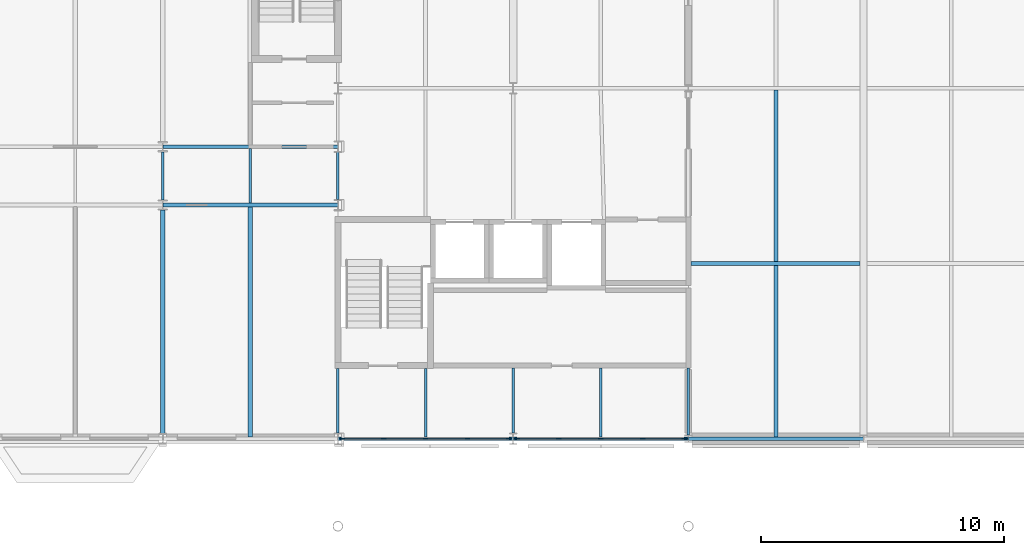
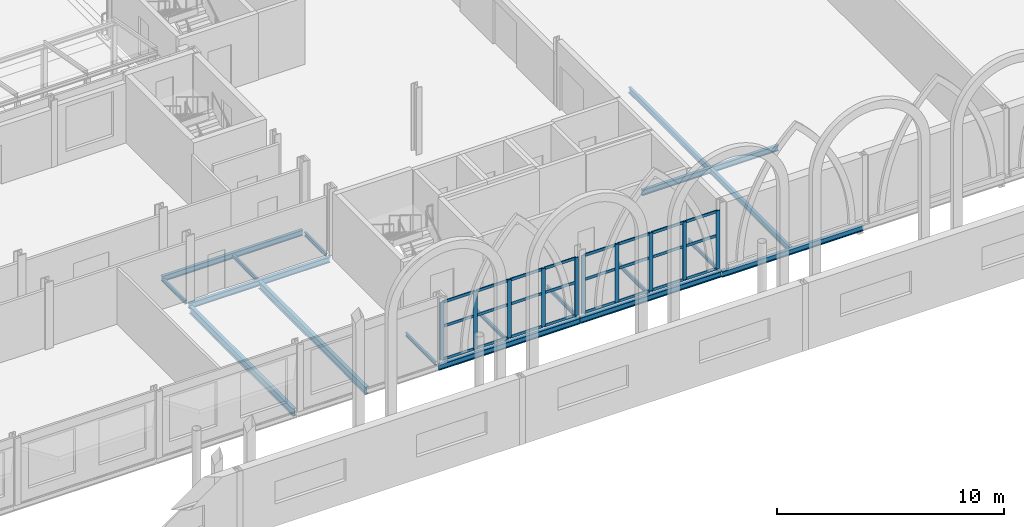
# One storey, part 55 of 143: 34 members, 18 beams, 2 elements without a shape of their own.
"""IFC4 building model written with IfcOpenShell, lengths in metres."""

from ifc_helpers import new_model, si_unit, direction, frame, origin, origin_2d, place, context, subcontext, project, spatial, rectangle, i_section, extrude, material, material_profile, profile_set, type_object, element, aggregate, save


model = new_model("IFC4")

# Units and contexts
model_context = context("Model", 3, precision=1e-05, world=origin(), true_north=direction((0.0, 1.0)))
body_context = subcontext(model_context, "Body", "Model", "MODEL_VIEW")
ifc_project = project(units=[si_unit("LENGTHUNIT", "METRE"), si_unit("AREAUNIT", "SQUARE_METRE"), si_unit("VOLUMEUNIT", "CUBIC_METRE"), si_unit("PLANEANGLEUNIT", "RADIAN"), si_unit("MASSUNIT", "GRAM", prefix="KILO")], contexts=[model_context])

# Site, building, storey
site_placement = place(None, origin())
site = spatial("IfcSite", under=ifc_project, at=site_placement, CompositionType="ELEMENT")
building_placement = place(site_placement, origin())
building = spatial("IfcBuilding", under=site, at=building_placement, Name="Kupolbacken Congress Centre", CompositionType="ELEMENT")
storey_placement = place(building_placement, frame((0.0, 0.0, 7.199951171875)))
storey = spatial("IfcBuildingStorey", under=building, at=storey_placement, Name="L02", CompositionType="ELEMENT", Elevation=7.199951171875)

# Beams
ifc_material_1 = material(Name="Steel S355", Category="steel")
ifc_material_profile_1 = material_profile(ifc_material_1, i_section(OverallWidth=0.10009765625, OverallDepth=0.199951171875, WebThickness=0.005615234375, FlangeThickness=0.008544921875, FilletRadius=0.011962890625, at=origin_2d()), Name="IPE 200")
ifc_profile_set_1 = profile_set([ifc_material_profile_1], Name="Steel S355")
beam_type_1 = type_object("IfcBeamType", Name="B01 beam IPE 200", PredefinedType="BEAM", material=ifc_profile_set_1)
beam_1_placement = place(storey_placement, frame((129.60009765625, 132.21240234375, -0.280029296875), z_axis=(0.0, 1.0, 0.0), x_axis=(-1.0, 0.0, 0.0)))
element("IfcBeam", 1, at=beam_1_placement, inside=storey, type_object=beam_type_1, Name="S/floor/T/L02/S071", PredefinedType="BEAM", context=body_context, shape_type="SweptSolid", body=[
    extrude(i_section(OverallWidth=0.10009765625, OverallDepth=0.199951171875, WebThickness=0.005615234375, FlangeThickness=0.008544921875, FilletRadius=0.011962890625, at=origin_2d()), origin(), (0.0, 0.0, 1.0), 1.97509765625),
])
beam_2_placement = place(storey_placement, frame((133.199951171875, 132.074951171875, -0.280029296875), z_axis=(0.0, 1.0, 0.0), x_axis=(-1.0, 0.0, 0.0)))
element("IfcBeam", 2, at=beam_2_placement, inside=storey, type_object=beam_type_1, Name="S/floor/T/L02/S074", PredefinedType="BEAM", context=body_context, shape_type="SweptSolid", body=[
    extrude(i_section(OverallWidth=0.10009765625, OverallDepth=0.199951171875, WebThickness=0.005615234375, FlangeThickness=0.008544921875, FilletRadius=0.011962890625, at=origin_2d()), origin(), (0.0, 0.0, 1.0), 2.25),
])
beam_3_placement = place(storey_placement, frame((136.800048828125, 122.625, -0.280029296875), z_axis=(0.0, 1.0, 0.0), x_axis=(-1.0, 0.0, 0.0)))
element("IfcBeam", 3, at=beam_3_placement, inside=storey, type_object=beam_type_1, Name="S/floor/T/L02/S076", PredefinedType="BEAM", context=body_context, shape_type="SweptSolid", body=[
    extrude(i_section(OverallWidth=0.10009765625, OverallDepth=0.199951171875, WebThickness=0.005615234375, FlangeThickness=0.008544921875, FilletRadius=0.011962890625, at=origin_2d()), origin(), (0.0, 0.0, 1.0), 2.64990234375),
])
beam_4_placement = place(storey_placement, frame((136.800048828125, 132.22509765625, -0.280029296875), z_axis=(0.0, 1.0, 0.0), x_axis=(-1.0, 0.0, 0.0)))
element("IfcBeam", 4, at=beam_4_placement, inside=storey, type_object=beam_type_1, Name="S/floor/T/L02/S077", PredefinedType="BEAM", context=body_context, shape_type="SweptSolid", body=[
    extrude(i_section(OverallWidth=0.10009765625, OverallDepth=0.199951171875, WebThickness=0.005615234375, FlangeThickness=0.008544921875, FilletRadius=0.011962890625, at=origin_2d()), origin(), (0.0, 0.0, 1.0), 1.949951171875),
])
beam_5_placement = place(storey_placement, frame((144.0, 122.625, -0.280029296875), z_axis=(0.0, 1.0, 0.0), x_axis=(-1.0, 0.0, 0.0)))
element("IfcBeam", 5, at=beam_5_placement, inside=storey, type_object=beam_type_1, Name="S/floor/BF/L02/G002", PredefinedType="BEAM", context=body_context, shape_type="SweptSolid", body=[
    extrude(i_section(OverallWidth=0.10009765625, OverallDepth=0.199951171875, WebThickness=0.005615234375, FlangeThickness=0.008544921875, FilletRadius=0.011962890625, at=origin_2d()), origin(), (0.0, 0.0, 1.0), 2.675048828125),
])
beam_6_placement = place(storey_placement, frame((151.199951171875, 122.550048828125, -0.280029296875), z_axis=(0.0, 1.0, 0.0), x_axis=(-1.0, 0.0, 0.0)))
element("IfcBeam", 6, at=beam_6_placement, inside=storey, type_object=beam_type_1, Name="S/floor/BF/L02/G005", PredefinedType="BEAM", context=body_context, shape_type="SweptSolid", body=[
    extrude(i_section(OverallWidth=0.10009765625, OverallDepth=0.199951171875, WebThickness=0.005615234375, FlangeThickness=0.008544921875, FilletRadius=0.011962890625, at=origin_2d()), origin(), (0.0, 0.0, 1.0), 2.75),
])
beam_7_placement = place(storey_placement, frame((140.39990234375, 122.47509765625, -0.280029296875), z_axis=(0.0, 1.0, 0.0), x_axis=(-1.0, 0.0, 0.0)))
element("IfcBeam", 7, at=beam_7_placement, inside=storey, type_object=beam_type_1, Name="S/floor/BF/L02/S016", PredefinedType="BEAM", context=body_context, shape_type="SweptSolid", body=[
    extrude(i_section(OverallWidth=0.10009765625, OverallDepth=0.199951171875, WebThickness=0.005615234375, FlangeThickness=0.008544921875, FilletRadius=0.011962890625, at=origin_2d()), origin(), (0.0, 0.0, 1.0), 2.7998046875),
])
beam_8_placement = place(storey_placement, frame((147.60009765625, 122.47509765625, -0.280029296875), z_axis=(0.0, 1.0, 0.0), x_axis=(-1.0, 0.0, 0.0)))
element("IfcBeam", 8, at=beam_8_placement, inside=storey, type_object=beam_type_1, Name="S/floor/BF/L02/S020", PredefinedType="BEAM", context=body_context, shape_type="SweptSolid", body=[
    extrude(i_section(OverallWidth=0.10009765625, OverallDepth=0.199951171875, WebThickness=0.005615234375, FlangeThickness=0.008544921875, FilletRadius=0.011962890625, at=origin_2d()), origin(), (0.0, 0.0, 1.0), 2.824951171875),
])
ifc_material_2 = material(Name="Steel S355", Category="steel")
ifc_material_profile_2 = material_profile(ifc_material_2, i_section(OverallWidth=0.14990234375, OverallDepth=0.300048828125, WebThickness=0.007080078125, FlangeThickness=0.0107421875, FilletRadius=0.014892578125, at=origin_2d()), Name="IPE 300")
ifc_profile_set_2 = profile_set([ifc_material_profile_2], Name="Steel S355")
beam_type_2 = type_object("IfcBeamType", Name="B04 beam IPE 300", PredefinedType="BEAM", material=ifc_profile_set_2)
for number, where, z_axis, x_axis, name in (
    (9, (129.616455078125, 132.0, -0.329833984375), (1.0, 0.0, 0.0), (0.0, 1.0, 0.0), "S/floor/T/L02/R014"),
    (10, (129.616455078125, 134.39990234375, -0.329833984375), (1.0, 0.0, 0.0), (0.0, 1.0, 0.0), "S/floor/T/L02/R022"),
):
    element("IfcBeam", number, at=place(storey_placement, frame(where, z_axis=z_axis, x_axis=x_axis)), inside=storey, type_object=beam_type_2, Name=name, PredefinedType="BEAM", context=body_context, shape_type="SweptSolid", body=[
        extrude(i_section(OverallWidth=0.14990234375, OverallDepth=0.300048828125, WebThickness=0.007080078125, FlangeThickness=0.0107421875, FilletRadius=0.014892578125, at=origin_2d()), origin(), (0.0, 0.0, 1.0), 7.176513671875),
    ])
beam_9_placement = place(storey_placement, frame((136.806884765625, 122.39990234375, -0.329833984375), z_axis=(1.0, 0.0, 0.0), x_axis=(0.0, 1.0, 0.0)))
element("IfcBeam", 11, at=beam_9_placement, inside=storey, type_object=beam_type_2, Name="S/floor/BF/L02/R008", PredefinedType="BEAM", context=body_context, shape_type="SweptSolid", body=[
    extrude(i_section(OverallWidth=0.14990234375, OverallDepth=0.300048828125, WebThickness=0.007080078125, FlangeThickness=0.0107421875, FilletRadius=0.014892578125, at=origin_2d()), origin(), (0.0, 0.0, 1.0), 7.18603515625),
])
beam_10_placement = place(storey_placement, frame((144.007080078125, 122.39990234375, -0.329833984375), z_axis=(1.0, 0.0, 0.0), x_axis=(0.0, 1.0, 0.0)))
element("IfcBeam", 12, at=beam_10_placement, inside=storey, type_object=beam_type_2, Name="S/floor/BF/L02/R009", PredefinedType="BEAM", context=body_context, shape_type="SweptSolid", body=[
    extrude(i_section(OverallWidth=0.14990234375, OverallDepth=0.300048828125, WebThickness=0.007080078125, FlangeThickness=0.0107421875, FilletRadius=0.014892578125, at=origin_2d()), origin(), (0.0, 0.0, 1.0), 7.1875),
])
beam_11_placement = place(storey_placement, frame((151.20556640625, 122.39990234375, -0.369873046875), z_axis=(1.0, 0.0, 0.0), x_axis=(0.0, 1.0, 0.0)))
element("IfcBeam", 13, at=beam_11_placement, inside=storey, type_object=beam_type_2, Name="S/floor/B/L02/R010", PredefinedType="BEAM", context=body_context, shape_type="SweptSolid", body=[
    extrude(i_section(OverallWidth=0.14990234375, OverallDepth=0.300048828125, WebThickness=0.007080078125, FlangeThickness=0.0107421875, FilletRadius=0.014892578125, at=origin_2d()), origin(), (0.0, 0.0, 1.0), 7.18896484375),
])
beam_12_placement = place(storey_placement, frame((151.300048828125, 129.60009765625, -0.369873046875), z_axis=(1.0, 0.0, 0.0), x_axis=(0.0, 1.0, 0.0)))
element("IfcBeam", 14, at=beam_12_placement, inside=storey, type_object=beam_type_2, Name="S/floor/B/L02/R017", PredefinedType="BEAM", context=body_context, shape_type="SweptSolid", body=[
    extrude(i_section(OverallWidth=0.14990234375, OverallDepth=0.300048828125, WebThickness=0.007080078125, FlangeThickness=0.0107421875, FilletRadius=0.014892578125, at=origin_2d()), origin(), (0.0, 0.0, 1.0), 6.949951171875),
])
beam_13_placement = place(storey_placement, frame((154.800048828125, 122.47509765625, -0.369873046875), z_axis=(0.0, 1.0, 0.0), x_axis=(-1.0, 0.0, 0.0)))
element("IfcBeam", 15, at=beam_13_placement, inside=storey, type_object=beam_type_2, Name="S/floor/B/L02/S045", PredefinedType="BEAM", context=body_context, shape_type="SweptSolid", body=[
    extrude(i_section(OverallWidth=0.14990234375, OverallDepth=0.300048828125, WebThickness=0.007080078125, FlangeThickness=0.0107421875, FilletRadius=0.014892578125, at=origin_2d()), origin(), (0.0, 0.0, 1.0), 7.0498046875),
])
beam_14_placement = place(storey_placement, frame((154.800048828125, 129.675048828125, -0.369873046875), z_axis=(0.0, 1.0, 0.0), x_axis=(-1.0, 0.0, 0.0)))
element("IfcBeam", 16, at=beam_14_placement, inside=storey, type_object=beam_type_2, Name="S/floor/B/L02/S046", PredefinedType="BEAM", context=body_context, shape_type="SweptSolid", body=[
    extrude(i_section(OverallWidth=0.14990234375, OverallDepth=0.300048828125, WebThickness=0.007080078125, FlangeThickness=0.0107421875, FilletRadius=0.014892578125, at=origin_2d()), origin(), (0.0, 0.0, 1.0), 7.050048828125),
])
ifc_material_3 = material(Name="Steel S355", Category="steel")
ifc_material_profile_3 = material_profile(ifc_material_3, i_section(OverallWidth=0.179931640625, OverallDepth=0.39990234375, WebThickness=0.008544921875, FlangeThickness=0.013427734375, FilletRadius=0.02099609375, at=origin_2d()), Name="IPE 400")
ifc_profile_set_3 = profile_set([ifc_material_profile_3], Name="Steel S355")
beam_type_3 = type_object("IfcBeamType", Name="B07 beam IPE 400", PredefinedType="BEAM", material=ifc_profile_set_3)
beam_15_placement = place(storey_placement, frame((129.60009765625, 122.615966796875, -0.3798828125), z_axis=(0.0, 1.0, 0.0), x_axis=(-1.0, 0.0, 0.0)))
element("IfcBeam", 17, at=beam_15_placement, inside=storey, type_object=beam_type_3, Name="S/floor/T/L02/S070", PredefinedType="BEAM", context=body_context, shape_type="SweptSolid", body=[
    extrude(i_section(OverallWidth=0.179931640625, OverallDepth=0.39990234375, WebThickness=0.008544921875, FlangeThickness=0.013427734375, FilletRadius=0.02099609375, at=origin_2d()), origin(), (0.0, 0.0, 1.0), 9.171630859375),
])
beam_16_placement = place(storey_placement, frame((133.199951171875, 122.47509765625, -0.3798828125), z_axis=(0.0, 1.0, 0.0), x_axis=(-1.0, 0.0, 0.0)))
element("IfcBeam", 18, at=beam_16_placement, inside=storey, type_object=beam_type_3, Name="S/floor/T/L02/S073", PredefinedType="BEAM", context=body_context, shape_type="SweptSolid", body=[
    extrude(i_section(OverallWidth=0.179931640625, OverallDepth=0.39990234375, WebThickness=0.008544921875, FlangeThickness=0.013427734375, FilletRadius=0.02099609375, at=origin_2d()), origin(), (0.0, 0.0, 1.0), 9.449951171875),
])

# Curtain wall, members
ifc_material_4 = material(Name="Aluminium mullion-transom frame with glass", Category="aluminium")
curtain_wall_type = type_object("IfcCurtainWallType", Name="CW1 curtain wall 7200x3600", PredefinedType="NOTDEFINED", material=ifc_material_4)
curtain_wall_1_placement = place(storey_placement, origin())
curtain_wall_1 = element("IfcCurtainWall", 19, at=curtain_wall_1_placement, inside=storey, type_object=curtain_wall_type, Name="E/BF/S/L02/223", PredefinedType="NOTDEFINED")
ifc_material_5 = material(Name="Aluminium alloy", Category="aluminium")
ifc_material_profile_4 = material_profile(ifc_material_5, rectangle(XDim=0.050048828125, YDim=0.199951171875, at=origin_2d()), Name="50 x 200")
ifc_profile_set_4 = profile_set([ifc_material_profile_4], Name="Aluminium alloy")
member_type_1 = type_object("IfcMemberType", Name="MU2 mullion 50x200", PredefinedType="MULLION", material=ifc_profile_set_4)
member_1_placement = place(storey_placement, frame((136.97509765625, 122.39990234375, 0.0), z_axis=(0.0, 0.0, 1.0), x_axis=(0.0, 1.0, 0.0)))
member_1 = element("IfcMember", 20, at=member_1_placement, type_object=member_type_1, Name="CW1 mullion 1", PredefinedType="MULLION", context=body_context, shape_type="SweptSolid", body=[
    extrude(rectangle(XDim=0.050048828125, YDim=0.199951171875, at=origin_2d()), origin(), (0.0, 0.0, 1.0), 3.1201171875),
])
member_2_placement = place(storey_placement, frame((138.675048828125, 122.39990234375, 0.0), z_axis=(0.0, 0.0, 1.0), x_axis=(0.0, 1.0, 0.0)))
member_2 = element("IfcMember", 21, at=member_2_placement, type_object=member_type_1, Name="CW1 mullion 2", PredefinedType="MULLION", context=body_context, shape_type="SweptSolid", body=[
    extrude(rectangle(XDim=0.050048828125, YDim=0.199951171875, at=origin_2d()), origin(), (0.0, 0.0, 1.0), 3.1201171875),
])
member_3_placement = place(storey_placement, frame((140.39990234375, 122.39990234375, 0.0), z_axis=(0.0, 0.0, 1.0), x_axis=(0.0, 1.0, 0.0)))
member_3 = element("IfcMember", 22, at=member_3_placement, type_object=member_type_1, Name="CW1 mullion 3", PredefinedType="MULLION", context=body_context, shape_type="SweptSolid", body=[
    extrude(rectangle(XDim=0.050048828125, YDim=0.199951171875, at=origin_2d()), origin(), (0.0, 0.0, 1.0), 3.1201171875),
])
member_4_placement = place(storey_placement, frame((142.125, 122.39990234375, 0.0), z_axis=(0.0, 0.0, 1.0), x_axis=(0.0, 1.0, 0.0)))
member_4 = element("IfcMember", 23, at=member_4_placement, type_object=member_type_1, Name="CW1 mullion 4", PredefinedType="MULLION", context=body_context, shape_type="SweptSolid", body=[
    extrude(rectangle(XDim=0.050048828125, YDim=0.199951171875, at=origin_2d()), origin(), (0.0, 0.0, 1.0), 3.1201171875),
])
member_5_placement = place(storey_placement, frame((143.824951171875, 122.39990234375, 0.0), z_axis=(0.0, 0.0, 1.0), x_axis=(0.0, 1.0, 0.0)))
member_5 = element("IfcMember", 24, at=member_5_placement, type_object=member_type_1, Name="CW1 mullion 5", PredefinedType="MULLION", context=body_context, shape_type="SweptSolid", body=[
    extrude(rectangle(XDim=0.050048828125, YDim=0.199951171875, at=origin_2d()), origin(), (0.0, 0.0, 1.0), 3.1201171875),
])

curtain_wall_2_placement = place(storey_placement, origin())
curtain_wall_2 = element("IfcCurtainWall", 25, at=curtain_wall_2_placement, inside=storey, type_object=curtain_wall_type, Name="E/BF/S/L02/224", PredefinedType="NOTDEFINED")
member_6_placement = place(storey_placement, frame((144.175048828125, 122.39990234375, 0.0), z_axis=(0.0, 0.0, 1.0), x_axis=(0.0, 1.0, 0.0)))
member_6 = element("IfcMember", 26, at=member_6_placement, type_object=member_type_1, Name="CW1 mullion 1", PredefinedType="MULLION", context=body_context, shape_type="SweptSolid", body=[
    extrude(rectangle(XDim=0.050048828125, YDim=0.199951171875, at=origin_2d()), origin(), (0.0, 0.0, 1.0), 3.1201171875),
])
member_7_placement = place(storey_placement, frame((145.875, 122.39990234375, 0.0), z_axis=(0.0, 0.0, 1.0), x_axis=(0.0, 1.0, 0.0)))
member_7 = element("IfcMember", 27, at=member_7_placement, type_object=member_type_1, Name="CW1 mullion 2", PredefinedType="MULLION", context=body_context, shape_type="SweptSolid", body=[
    extrude(rectangle(XDim=0.050048828125, YDim=0.199951171875, at=origin_2d()), origin(), (0.0, 0.0, 1.0), 3.1201171875),
])
member_8_placement = place(storey_placement, frame((147.60009765625, 122.39990234375, 0.0), z_axis=(0.0, 0.0, 1.0), x_axis=(0.0, 1.0, 0.0)))
member_8 = element("IfcMember", 28, at=member_8_placement, type_object=member_type_1, Name="CW1 mullion 3", PredefinedType="MULLION", context=body_context, shape_type="SweptSolid", body=[
    extrude(rectangle(XDim=0.050048828125, YDim=0.199951171875, at=origin_2d()), origin(), (0.0, 0.0, 1.0), 3.1201171875),
])
member_9_placement = place(storey_placement, frame((149.324951171875, 122.39990234375, 0.0), z_axis=(0.0, 0.0, 1.0), x_axis=(0.0, 1.0, 0.0)))
member_9 = element("IfcMember", 29, at=member_9_placement, type_object=member_type_1, Name="CW1 mullion 4", PredefinedType="MULLION", context=body_context, shape_type="SweptSolid", body=[
    extrude(rectangle(XDim=0.050048828125, YDim=0.199951171875, at=origin_2d()), origin(), (0.0, 0.0, 1.0), 3.1201171875),
])
member_10_placement = place(storey_placement, frame((151.02490234375, 122.39990234375, 0.0), z_axis=(0.0, 0.0, 1.0), x_axis=(0.0, 1.0, 0.0)))
member_10 = element("IfcMember", 30, at=member_10_placement, type_object=member_type_1, Name="CW1 mullion 5", PredefinedType="MULLION", context=body_context, shape_type="SweptSolid", body=[
    extrude(rectangle(XDim=0.050048828125, YDim=0.199951171875, at=origin_2d()), origin(), (0.0, 0.0, 1.0), 3.1201171875),
])

# Member
ifc_material_6 = material(Name="Aluminium alloy", Category="aluminium")
ifc_material_profile_5 = material_profile(ifc_material_6, rectangle(XDim=0.050048828125, YDim=0.14990234375, at=origin_2d()), Name="50 x 150")
ifc_profile_set_5 = profile_set([ifc_material_profile_5], Name="Aluminium alloy")
member_type_2 = type_object("IfcMemberType", Name="TR2 transom 50x150", PredefinedType="MULLION", material=ifc_profile_set_5)
member_11_placement = place(storey_placement, frame((137.0, 122.39990234375, 0.025146484375), z_axis=(1.0, 0.0, 0.0), x_axis=(0.0, 1.0, 0.0)))
member_11 = element("IfcMember", 31, at=member_11_placement, type_object=member_type_2, Name="CW1 transom 1.1", PredefinedType="MULLION", context=body_context, shape_type="SweptSolid", body=[
    extrude(rectangle(XDim=0.050048828125, YDim=0.14990234375, at=origin_2d()), origin(), (0.0, 0.0, 1.0), 1.64990234375),
])

member_12_placement = place(storey_placement, frame((137.0, 122.39990234375, 1.800048828125), z_axis=(1.0, 0.0, 0.0), x_axis=(0.0, 1.0, 0.0)))
member_12 = element("IfcMember", 32, at=member_12_placement, type_object=member_type_2, Name="CW1 transom 1.2", PredefinedType="MULLION", context=body_context, shape_type="SweptSolid", body=[
    extrude(rectangle(XDim=0.050048828125, YDim=0.14990234375, at=origin_2d()), origin(), (0.0, 0.0, 1.0), 1.64990234375),
])

member_13_placement = place(storey_placement, frame((137.0, 122.39990234375, 3.094970703125), z_axis=(1.0, 0.0, 0.0), x_axis=(0.0, 1.0, 0.0)))
member_13 = element("IfcMember", 33, at=member_13_placement, type_object=member_type_2, Name="CW1 transom 1.3", PredefinedType="MULLION", context=body_context, shape_type="SweptSolid", body=[
    extrude(rectangle(XDim=0.050048828125, YDim=0.14990234375, at=origin_2d()), origin(), (0.0, 0.0, 1.0), 1.64990234375),
])

member_14_placement = place(storey_placement, frame((138.699951171875, 122.39990234375, 0.025146484375), z_axis=(1.0, 0.0, 0.0), x_axis=(0.0, 1.0, 0.0)))
member_14 = element("IfcMember", 34, at=member_14_placement, type_object=member_type_2, Name="CW1 transom 2.1", PredefinedType="MULLION", context=body_context, shape_type="SweptSolid", body=[
    extrude(rectangle(XDim=0.050048828125, YDim=0.14990234375, at=origin_2d()), origin(), (0.0, 0.0, 1.0), 1.675048828125),
])

member_15_placement = place(storey_placement, frame((138.699951171875, 122.39990234375, 1.800048828125), z_axis=(1.0, 0.0, 0.0), x_axis=(0.0, 1.0, 0.0)))
member_15 = element("IfcMember", 35, at=member_15_placement, type_object=member_type_2, Name="CW1 transom 2.2", PredefinedType="MULLION", context=body_context, shape_type="SweptSolid", body=[
    extrude(rectangle(XDim=0.050048828125, YDim=0.14990234375, at=origin_2d()), origin(), (0.0, 0.0, 1.0), 1.675048828125),
])

member_16_placement = place(storey_placement, frame((138.699951171875, 122.39990234375, 3.094970703125), z_axis=(1.0, 0.0, 0.0), x_axis=(0.0, 1.0, 0.0)))
member_16 = element("IfcMember", 36, at=member_16_placement, type_object=member_type_2, Name="CW1 transom 2.3", PredefinedType="MULLION", context=body_context, shape_type="SweptSolid", body=[
    extrude(rectangle(XDim=0.050048828125, YDim=0.14990234375, at=origin_2d()), origin(), (0.0, 0.0, 1.0), 1.675048828125),
])

member_17_placement = place(storey_placement, frame((140.425048828125, 122.39990234375, 0.025146484375), z_axis=(1.0, 0.0, 0.0), x_axis=(0.0, 1.0, 0.0)))
member_17 = element("IfcMember", 37, at=member_17_placement, type_object=member_type_2, Name="CW1 transom 3.1", PredefinedType="MULLION", context=body_context, shape_type="SweptSolid", body=[
    extrude(rectangle(XDim=0.050048828125, YDim=0.14990234375, at=origin_2d()), origin(), (0.0, 0.0, 1.0), 1.675048828125),
])

member_18_placement = place(storey_placement, frame((140.425048828125, 122.39990234375, 1.800048828125), z_axis=(1.0, 0.0, 0.0), x_axis=(0.0, 1.0, 0.0)))
member_18 = element("IfcMember", 38, at=member_18_placement, type_object=member_type_2, Name="CW1 transom 3.2", PredefinedType="MULLION", context=body_context, shape_type="SweptSolid", body=[
    extrude(rectangle(XDim=0.050048828125, YDim=0.14990234375, at=origin_2d()), origin(), (0.0, 0.0, 1.0), 1.675048828125),
])

member_19_placement = place(storey_placement, frame((140.425048828125, 122.39990234375, 3.094970703125), z_axis=(1.0, 0.0, 0.0), x_axis=(0.0, 1.0, 0.0)))
member_19 = element("IfcMember", 39, at=member_19_placement, type_object=member_type_2, Name="CW1 transom 3.3", PredefinedType="MULLION", context=body_context, shape_type="SweptSolid", body=[
    extrude(rectangle(XDim=0.050048828125, YDim=0.14990234375, at=origin_2d()), origin(), (0.0, 0.0, 1.0), 1.675048828125),
])

member_20_placement = place(storey_placement, frame((142.14990234375, 122.39990234375, 0.025146484375), z_axis=(1.0, 0.0, 0.0), x_axis=(0.0, 1.0, 0.0)))
member_20 = element("IfcMember", 40, at=member_20_placement, type_object=member_type_2, Name="CW1 transom 4.1", PredefinedType="MULLION", context=body_context, shape_type="SweptSolid", body=[
    extrude(rectangle(XDim=0.050048828125, YDim=0.14990234375, at=origin_2d()), origin(), (0.0, 0.0, 1.0), 1.650146484375),
])

member_21_placement = place(storey_placement, frame((142.14990234375, 122.39990234375, 1.800048828125), z_axis=(1.0, 0.0, 0.0), x_axis=(0.0, 1.0, 0.0)))
member_21 = element("IfcMember", 41, at=member_21_placement, type_object=member_type_2, Name="CW1 transom 4.2", PredefinedType="MULLION", context=body_context, shape_type="SweptSolid", body=[
    extrude(rectangle(XDim=0.050048828125, YDim=0.14990234375, at=origin_2d()), origin(), (0.0, 0.0, 1.0), 1.650146484375),
])

member_22_placement = place(storey_placement, frame((142.14990234375, 122.39990234375, 3.094970703125), z_axis=(1.0, 0.0, 0.0), x_axis=(0.0, 1.0, 0.0)))
member_22 = element("IfcMember", 42, at=member_22_placement, type_object=member_type_2, Name="CW1 transom 4.3", PredefinedType="MULLION", context=body_context, shape_type="SweptSolid", body=[
    extrude(rectangle(XDim=0.050048828125, YDim=0.14990234375, at=origin_2d()), origin(), (0.0, 0.0, 1.0), 1.650146484375),
])

aggregate(curtain_wall_1, [member_1, member_2, member_3, member_4, member_5, member_11, member_12, member_13, member_14, member_15, member_16, member_17, member_18, member_19, member_20, member_21, member_22])

member_23_placement = place(storey_placement, frame((144.199951171875, 122.39990234375, 0.025146484375), z_axis=(1.0, 0.0, 0.0), x_axis=(0.0, 1.0, 0.0)))
member_23 = element("IfcMember", 43, at=member_23_placement, type_object=member_type_2, Name="CW1 transom 1.1", PredefinedType="MULLION", context=body_context, shape_type="SweptSolid", body=[
    extrude(rectangle(XDim=0.050048828125, YDim=0.14990234375, at=origin_2d()), origin(), (0.0, 0.0, 1.0), 1.650146484375),
])

member_24_placement = place(storey_placement, frame((144.199951171875, 122.39990234375, 1.800048828125), z_axis=(1.0, 0.0, 0.0), x_axis=(0.0, 1.0, 0.0)))
member_24 = element("IfcMember", 44, at=member_24_placement, type_object=member_type_2, Name="CW1 transom 1.2", PredefinedType="MULLION", context=body_context, shape_type="SweptSolid", body=[
    extrude(rectangle(XDim=0.050048828125, YDim=0.14990234375, at=origin_2d()), origin(), (0.0, 0.0, 1.0), 1.650146484375),
])

member_25_placement = place(storey_placement, frame((144.199951171875, 122.39990234375, 3.094970703125), z_axis=(1.0, 0.0, 0.0), x_axis=(0.0, 1.0, 0.0)))
member_25 = element("IfcMember", 45, at=member_25_placement, type_object=member_type_2, Name="CW1 transom 1.3", PredefinedType="MULLION", context=body_context, shape_type="SweptSolid", body=[
    extrude(rectangle(XDim=0.050048828125, YDim=0.14990234375, at=origin_2d()), origin(), (0.0, 0.0, 1.0), 1.650146484375),
])

member_26_placement = place(storey_placement, frame((145.89990234375, 122.39990234375, 0.025146484375), z_axis=(1.0, 0.0, 0.0), x_axis=(0.0, 1.0, 0.0)))
member_26 = element("IfcMember", 46, at=member_26_placement, type_object=member_type_2, Name="CW1 transom 2.1", PredefinedType="MULLION", context=body_context, shape_type="SweptSolid", body=[
    extrude(rectangle(XDim=0.050048828125, YDim=0.14990234375, at=origin_2d()), origin(), (0.0, 0.0, 1.0), 1.675048828125),
])

member_27_placement = place(storey_placement, frame((145.89990234375, 122.39990234375, 1.800048828125), z_axis=(1.0, 0.0, 0.0), x_axis=(0.0, 1.0, 0.0)))
member_27 = element("IfcMember", 47, at=member_27_placement, type_object=member_type_2, Name="CW1 transom 2.2", PredefinedType="MULLION", context=body_context, shape_type="SweptSolid", body=[
    extrude(rectangle(XDim=0.050048828125, YDim=0.14990234375, at=origin_2d()), origin(), (0.0, 0.0, 1.0), 1.675048828125),
])

member_28_placement = place(storey_placement, frame((145.89990234375, 122.39990234375, 3.094970703125), z_axis=(1.0, 0.0, 0.0), x_axis=(0.0, 1.0, 0.0)))
member_28 = element("IfcMember", 48, at=member_28_placement, type_object=member_type_2, Name="CW1 transom 2.3", PredefinedType="MULLION", context=body_context, shape_type="SweptSolid", body=[
    extrude(rectangle(XDim=0.050048828125, YDim=0.14990234375, at=origin_2d()), origin(), (0.0, 0.0, 1.0), 1.675048828125),
])

member_29_placement = place(storey_placement, frame((147.625, 122.39990234375, 0.025146484375), z_axis=(1.0, 0.0, 0.0), x_axis=(0.0, 1.0, 0.0)))
member_29 = element("IfcMember", 49, at=member_29_placement, type_object=member_type_2, Name="CW1 transom 3.1", PredefinedType="MULLION", context=body_context, shape_type="SweptSolid", body=[
    extrude(rectangle(XDim=0.050048828125, YDim=0.14990234375, at=origin_2d()), origin(), (0.0, 0.0, 1.0), 1.675048828125),
])

member_30_placement = place(storey_placement, frame((147.625, 122.39990234375, 1.800048828125), z_axis=(1.0, 0.0, 0.0), x_axis=(0.0, 1.0, 0.0)))
member_30 = element("IfcMember", 50, at=member_30_placement, type_object=member_type_2, Name="CW1 transom 3.2", PredefinedType="MULLION", context=body_context, shape_type="SweptSolid", body=[
    extrude(rectangle(XDim=0.050048828125, YDim=0.14990234375, at=origin_2d()), origin(), (0.0, 0.0, 1.0), 1.675048828125),
])

member_31_placement = place(storey_placement, frame((147.625, 122.39990234375, 3.094970703125), z_axis=(1.0, 0.0, 0.0), x_axis=(0.0, 1.0, 0.0)))
member_31 = element("IfcMember", 51, at=member_31_placement, type_object=member_type_2, Name="CW1 transom 3.3", PredefinedType="MULLION", context=body_context, shape_type="SweptSolid", body=[
    extrude(rectangle(XDim=0.050048828125, YDim=0.14990234375, at=origin_2d()), origin(), (0.0, 0.0, 1.0), 1.675048828125),
])

member_32_placement = place(storey_placement, frame((149.35009765625, 122.39990234375, 0.025146484375), z_axis=(1.0, 0.0, 0.0), x_axis=(0.0, 1.0, 0.0)))
member_32 = element("IfcMember", 52, at=member_32_placement, type_object=member_type_2, Name="CW1 transom 4.1", PredefinedType="MULLION", context=body_context, shape_type="SweptSolid", body=[
    extrude(rectangle(XDim=0.050048828125, YDim=0.14990234375, at=origin_2d()), origin(), (0.0, 0.0, 1.0), 1.64990234375),
])

member_33_placement = place(storey_placement, frame((149.35009765625, 122.39990234375, 1.800048828125), z_axis=(1.0, 0.0, 0.0), x_axis=(0.0, 1.0, 0.0)))
member_33 = element("IfcMember", 53, at=member_33_placement, type_object=member_type_2, Name="CW1 transom 4.2", PredefinedType="MULLION", context=body_context, shape_type="SweptSolid", body=[
    extrude(rectangle(XDim=0.050048828125, YDim=0.14990234375, at=origin_2d()), origin(), (0.0, 0.0, 1.0), 1.64990234375),
])

member_34_placement = place(storey_placement, frame((149.35009765625, 122.39990234375, 3.094970703125), z_axis=(1.0, 0.0, 0.0), x_axis=(0.0, 1.0, 0.0)))
member_34 = element("IfcMember", 54, at=member_34_placement, type_object=member_type_2, Name="CW1 transom 4.3", PredefinedType="MULLION", context=body_context, shape_type="SweptSolid", body=[
    extrude(rectangle(XDim=0.050048828125, YDim=0.14990234375, at=origin_2d()), origin(), (0.0, 0.0, 1.0), 1.64990234375),
])

aggregate(curtain_wall_2, [member_6, member_7, member_8, member_9, member_10, member_23, member_24, member_25, member_26, member_27, member_28, member_29, member_30, member_31, member_32, member_33, member_34])

save(model, "model.ifc")
